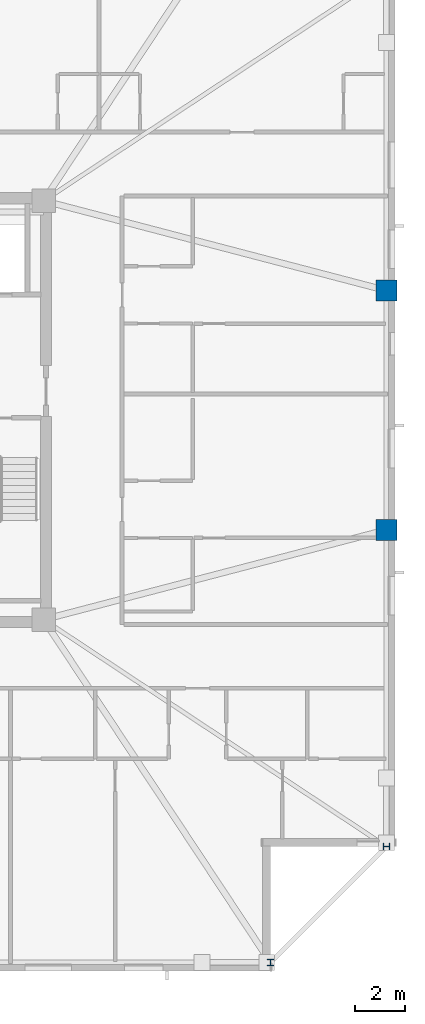
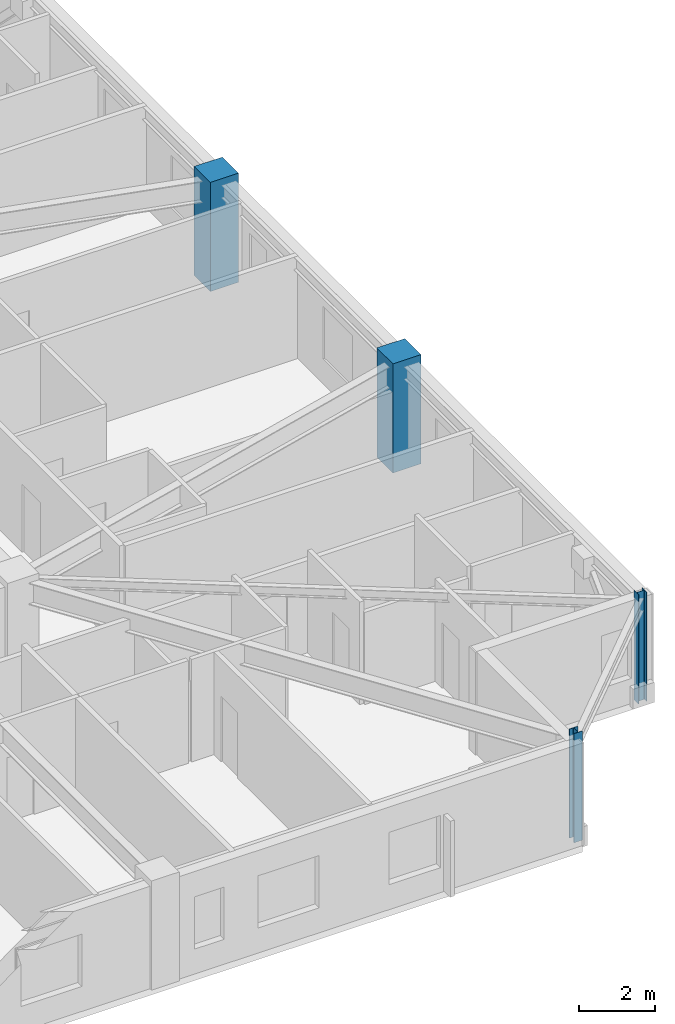
# One storey, part 3 of 16: 4 columns.
"""IFC4 building model written with IfcOpenShell, lengths in metres."""

from ifc_helpers import new_model, si_unit, direction, frame, origin, origin_2d, place, context, subcontext, project, spatial, rectangle, i_section, extrude, material, material_profile, profile_set, type_object, element, save


model = new_model("IFC4")

# Units and contexts
model_context = context("Model", 3, precision=1e-05, world=origin(), true_north=direction((0.0, 1.0)))
body_context = subcontext(model_context, "Body", "Model", "MODEL_VIEW")
ifc_project = project(units=[si_unit("LENGTHUNIT", "METRE"), si_unit("AREAUNIT", "SQUARE_METRE"), si_unit("VOLUMEUNIT", "CUBIC_METRE"), si_unit("PLANEANGLEUNIT", "RADIAN"), si_unit("MASSUNIT", "GRAM", prefix="KILO")], contexts=[model_context])

# Site, building, storey
site_placement = place(None, origin())
site = spatial("IfcSite", under=ifc_project, at=site_placement, CompositionType="ELEMENT")
building_placement = place(site_placement, origin())
building = spatial("IfcBuilding", under=site, at=building_placement, Name="Cairnveth Concourse Tower", CompositionType="ELEMENT")
storey_placement = place(building_placement, frame((0.0, 0.0, 255.0)))
storey = spatial("IfcBuildingStorey", under=building, at=storey_placement, Name="L70", CompositionType="ELEMENT", Elevation=255.0)

# Columns
ifc_material_1 = material(Name="Concrete N65 (65 MPa)", Category="concrete")
ifc_material_profile_1 = material_profile(ifc_material_1, rectangle(XDim=0.85009765625, YDim=0.85009765625, at=origin_2d()), Name="RC-COL-850x850")
ifc_profile_set_1 = profile_set([ifc_material_profile_1], Name="Concrete N65 (65 MPa)")
column_type_1 = type_object("IfcColumnType", Name="PERIMETER PIER COLUMN 850X850", PredefinedType="COLUMN", material=ifc_profile_set_1)
for number, where, z_axis, x_axis, name in (
    (1, (74.14990234375, 34.199951171875, 0.0), (0.0, 0.0, 1.0), (0.0, 1.0, 0.0), "Column P-E2 L70"),
    (2, (74.14990234375, 43.800048828125, 0.0), (0.0, 0.0, 1.0), (0.0, 1.0, 0.0), "Column P-E3 L70"),
):
    element("IfcColumn", number, at=place(storey_placement, frame(where, z_axis=z_axis, x_axis=x_axis)), inside=storey, type_object=column_type_1, Name=name, PredefinedType="COLUMN", context=body_context, shape_type="SweptSolid", body=[
        extrude(rectangle(XDim=0.85009765625, YDim=0.85009765625, at=origin_2d()), origin(), (0.0, 0.0, 1.0), 3.5),
    ])
ifc_material_2 = material(Name="Steel Grade 350", Category="steel")
ifc_material_profile_2 = material_profile(ifc_material_2, i_section(OverallWidth=0.256103515625, OverallDepth=0.260009765625, WebThickness=0.010498046875, FlangeThickness=0.017333984375, FilletRadius=0.012939453125, at=origin_2d()), Name="250UC89.5")
ifc_profile_set_2 = profile_set([ifc_material_profile_2], Name="Steel Grade 350")
column_type_2 = type_object("IfcColumnType", Name="UNIVERSAL STEEL COLUMN 250UC89.5", PredefinedType="COLUMN", material=ifc_profile_set_2)
for number, where, z_axis, x_axis, name in (
    (3, (69.5, 16.85009765625, 0.0), (0.0, 0.0, 1.0), (1.0, 0.0, 0.0), "Column P-S4 L70"),
    (4, (74.14990234375, 21.5, 0.0), (0.0, 0.0, 1.0), (0.0, 1.0, 0.0), "Column P-E1 L70"),
):
    element("IfcColumn", number, at=place(storey_placement, frame(where, z_axis=z_axis, x_axis=x_axis)), inside=storey, type_object=column_type_2, Name=name, PredefinedType="COLUMN", context=body_context, shape_type="SweptSolid", body=[
        extrude(i_section(OverallWidth=0.256103515625, OverallDepth=0.260009765625, WebThickness=0.010498046875, FlangeThickness=0.017333984375, FilletRadius=0.012939453125, at=origin_2d()), origin(), (0.0, 0.0, 1.0), 3.5),
    ])

save(model, "model.ifc")
